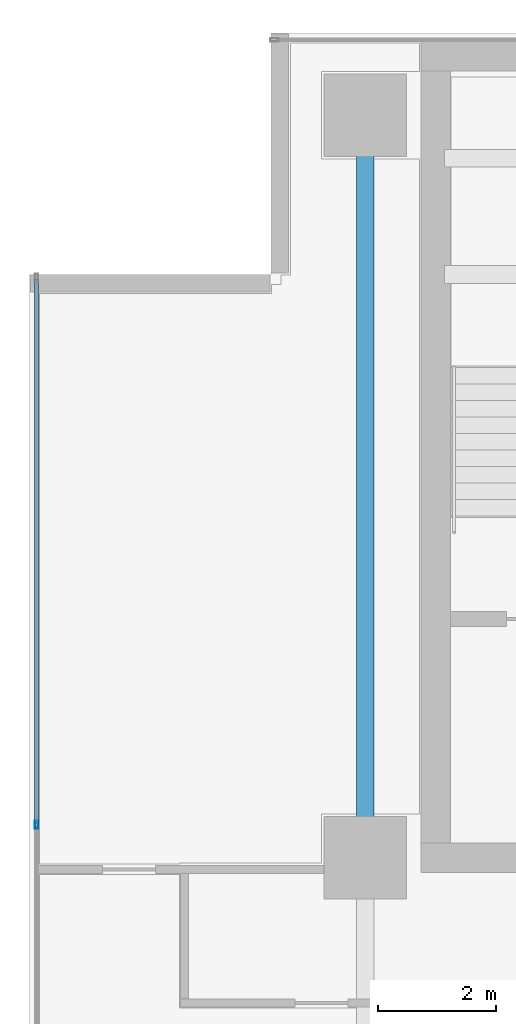
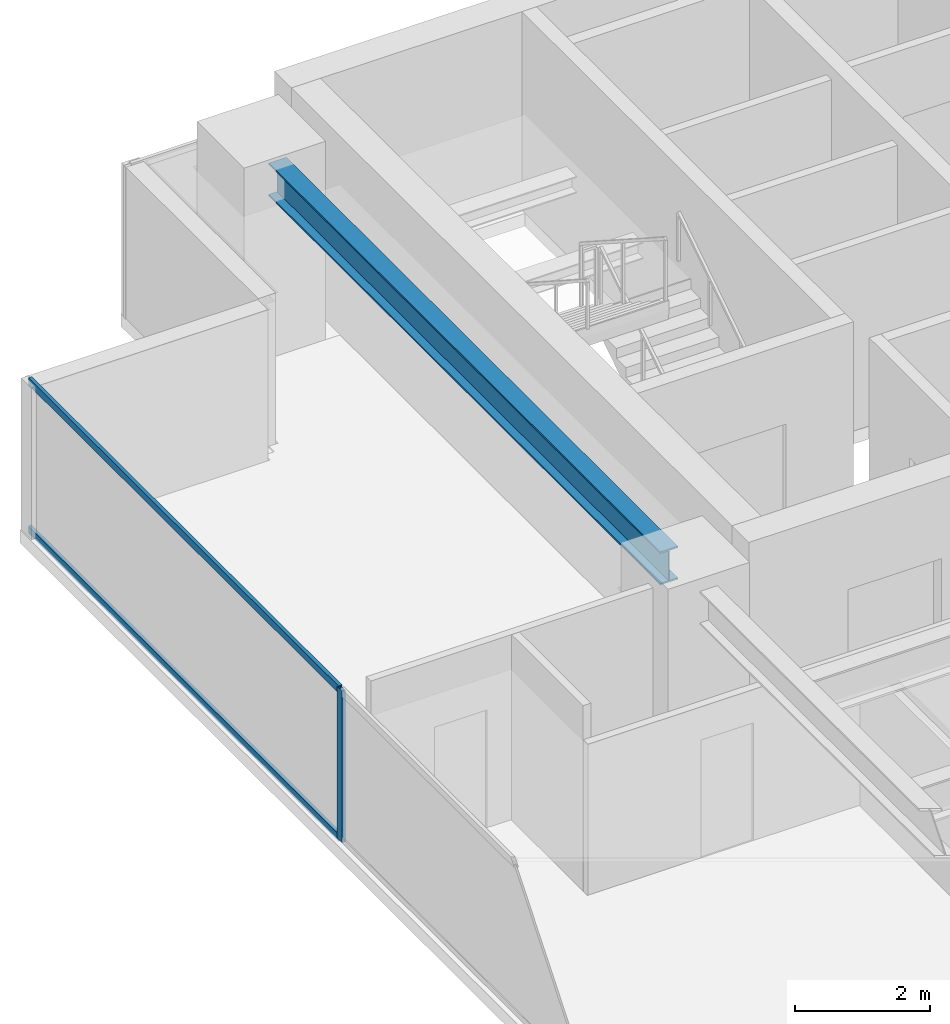
# One storey, part 9 of 25: 3 members, 1 beam, 1 element without a shape of its own.
"""IFC4 building model written with IfcOpenShell, lengths in metres."""

import ifcopenshell
import ifcopenshell.guid

model = None  # the IFC model being written
_history = None  # IfcOwnerHistory: only IFC2X3 demands one
_inside = {}  # id of a spatial element -> (the spatial element, [elements in it])
_under = {}  # id of a project, library or spatial element -> (it, [spatial elements below it])
_declared = {}  # id of a project -> (the project, [libraries it declares])
_typed = {}  # id of a type object -> (the type object, [elements of that type])
_made_of = {}  # id of a material, layer set ... -> (it, [elements and type objects made of it])


def new_model(schema):
    """Start an empty IFC model of exactly this schema.

    Asked for "IFC4X3", IfcOpenShell would pick the latest addendum, in which some entities
    have other attributes; the version numbers below select the first issue.
    IFC2X3 requires an IfcOwnerHistory on every rooted entity: one is made here for all.
    """
    global model, _history
    if schema == "IFC4X3":
        model = ifcopenshell.file(schema_version=(4, 3, 0, 0))
    else:
        model = ifcopenshell.file(schema=schema)
    _inside.clear()
    _under.clear()
    _declared.clear()
    _typed.clear()
    _made_of.clear()
    _history = None
    if model.schema == "IFC2X3":
        org = make("IfcOrganization", Name="unknown")
        user = make(
            "IfcPersonAndOrganization",
            ThePerson=make("IfcPerson", FamilyName="unknown"),
            TheOrganization=org,
        )
        app = make(
            "IfcApplication",
            ApplicationDeveloper=org,
            Version="unknown",
            ApplicationFullName="unknown",
            ApplicationIdentifier="unknown",
        )
        _history = make(
            "IfcOwnerHistory",
            OwningUser=user,
            OwningApplication=app,
            ChangeAction="ADDED",
            CreationDate=0,
        )
    return model


def make(cls, **values):
    """One entity of the class cls with the attributes given. An attribute that is None is left unset."""
    return model.create_entity(
        cls, **{name: value for name, value in values.items() if value is not None}
    )


def rooted(cls, **values):
    """An entity with a GlobalId (a new one), such as an element, a storey or a relation."""
    return make(cls, GlobalId=ifcopenshell.guid.new(), OwnerHistory=_history, **values)


def si_unit(unit_type, name, prefix=None):
    """IfcSIUnit, for example si_unit("LENGTHUNIT", "METRE", prefix="MILLI")."""
    return make("IfcSIUnit", UnitType=unit_type, Prefix=prefix, Name=name)


def assignment(units):
    """IfcUnitAssignment: the units of a project."""
    return None if units is None else make("IfcUnitAssignment", Units=units)


def point(xyz):
    """IfcCartesianPoint."""
    return None if xyz is None else make("IfcCartesianPoint", Coordinates=xyz)


def direction(xyz):
    """IfcDirection."""
    return None if xyz is None else make("IfcDirection", DirectionRatios=xyz)


def frame(location, z_axis=None, x_axis=None):
    """IfcAxis2Placement3D, a coordinate frame: its origin and axes. An axis left out is left unset."""
    return make(
        "IfcAxis2Placement3D",
        Location=point(location),
        Axis=direction(z_axis),
        RefDirection=direction(x_axis),
    )


def frame_2d(location, x_axis=None):
    """IfcAxis2Placement2D, a coordinate frame in the plane: its origin and x axis."""
    return make(
        "IfcAxis2Placement2D", Location=point(location), RefDirection=direction(x_axis)
    )


def origin():
    """The frame at (0, 0, 0) with its axes left unset."""
    return frame((0.0, 0.0, 0.0))


def origin_2d():
    """The frame at (0, 0) in the plane with its x axis left unset."""
    return frame_2d((0.0, 0.0))


def place(relative_to, where):
    """IfcLocalPlacement: puts the frame where relative to a parent placement (None: the world)."""
    return make(
        "IfcLocalPlacement", PlacementRelTo=relative_to, RelativePlacement=where
    )


def context(
    kind, dimensions, precision=None, world=None, true_north=None, identifier=None
):
    """IfcGeometricRepresentationContext, for example the 3D "Model" context."""
    return make(
        "IfcGeometricRepresentationContext",
        ContextIdentifier=identifier,
        ContextType=kind,
        CoordinateSpaceDimension=dimensions,
        Precision=precision,
        WorldCoordinateSystem=world,
        TrueNorth=true_north,
    )


def subcontext(parent, identifier, kind, view, scale=None):
    """IfcGeometricRepresentationSubContext, for example "Body" below "Model"."""
    return make(
        "IfcGeometricRepresentationSubContext",
        ContextIdentifier=identifier,
        ContextType=kind,
        ParentContext=parent,
        TargetScale=scale,
        TargetView=view,
    )


def project(units=None, contexts=None):
    """IfcProject with its units and contexts."""
    return rooted(
        "IfcProject",
        Name="project",
        RepresentationContexts=contexts,
        UnitsInContext=assignment(units),
    )


def spatial(cls, under=None, at=None, **own):
    """A site, building, storey or space (cls), placed at a placement, below another one or the project."""
    s = rooted(cls, ObjectPlacement=at, **own)
    if under is not None:
        _under.setdefault(under.id(), (under, []))[1].append(s)
    return s


def profile(cls, at=None, kind="AREA", **sizes):
    """A parametric profile (cls). Its sizes go by their IFC names, for example OverallWidth=200.0."""
    return make(cls, ProfileType=kind, Position=at, **sizes)


def hollow_rectangle(**sizes):
    """IfcRectangleHollowProfileDef."""
    return profile("IfcRectangleHollowProfileDef", **sizes)


def i_section(**sizes):
    """IfcIShapeProfileDef."""
    return profile("IfcIShapeProfileDef", **sizes)


def extrude(swept, where, along, depth):
    """IfcExtrudedAreaSolid: the profile swept, set in the frame where, extruded along a direction by depth."""
    return make(
        "IfcExtrudedAreaSolid",
        SweptArea=swept,
        Position=where,
        ExtrudedDirection=direction(along),
        Depth=depth,
    )


def shape(context_of_items, identifier, shape_type, items):
    """IfcShapeRepresentation: the items that make up one representation, for example the "Body"."""
    return make(
        "IfcShapeRepresentation",
        ContextOfItems=context_of_items,
        RepresentationIdentifier=identifier,
        RepresentationType=shape_type,
        Items=items,
    )


def source(mapping_origin, context_of_items, identifier, shape_type, items):
    """IfcRepresentationMap: a shape defined once, which mapped items show again and again."""
    return make(
        "IfcRepresentationMap",
        MappingOrigin=mapping_origin,
        MappedRepresentation=shape(context_of_items, identifier, shape_type, items),
    )


def transform(
    local_origin,
    x_axis=None,
    y_axis=None,
    z_axis=None,
    scale=None,
    scale2=None,
    scale3=None,
    uniform=True,
):
    """IfcCartesianTransformationOperator3D, or its non-uniform kind. x_axis, y_axis, z_axis: its Axis1, 2, 3."""
    if uniform:
        return make(
            "IfcCartesianTransformationOperator3D",
            Axis1=direction(x_axis),
            Axis2=direction(y_axis),
            LocalOrigin=point(local_origin),
            Scale=scale,
            Axis3=direction(z_axis),
        )
    return make(
        "IfcCartesianTransformationOperator3DnonUniform",
        Axis1=direction(x_axis),
        Axis2=direction(y_axis),
        LocalOrigin=point(local_origin),
        Scale=scale,
        Axis3=direction(z_axis),
        Scale2=scale2,
        Scale3=scale3,
    )


def mapped(mapping_source, mapping_target):
    """IfcMappedItem: shows the shape of a source again, moved by a transform."""
    return make(
        "IfcMappedItem", MappingSource=mapping_source, MappingTarget=mapping_target
    )


def material(Name=None, Category=None):
    """IfcMaterial."""
    return make("IfcMaterial", Name=Name, Category=Category)


def layer(
    of_material, thickness, ventilated=None, Name=None, Category=None, Priority=None
):
    """IfcMaterialLayer: one layer of a wall or slab, of a material (None: an air gap)."""
    return make(
        "IfcMaterialLayer",
        Material=of_material,
        LayerThickness=thickness,
        IsVentilated=ventilated,
        Name=Name,
        Category=Category,
        Priority=Priority,
    )


def layer_set(layers, Name=None):
    """IfcMaterialLayerSet."""
    return make("IfcMaterialLayerSet", MaterialLayers=layers, LayerSetName=Name)


def material_profile(
    of_material, cross_section, Name=None, Category=None, Priority=None
):
    """IfcMaterialProfile: a cross section and its material."""
    return make(
        "IfcMaterialProfile",
        Name=Name,
        Material=of_material,
        Profile=cross_section,
        Priority=Priority,
        Category=Category,
    )


def profile_set(profiles, Name=None, composite=None):
    """IfcMaterialProfileSet."""
    return make(
        "IfcMaterialProfileSet",
        Name=Name,
        MaterialProfiles=profiles,
        CompositeProfile=composite,
    )


def made_of(thing, what):
    """Note that an element or type object is made of a material, layer set ...; save() writes the relation."""
    if what is not None:
        _made_of.setdefault(what.id(), (what, []))[1].append(thing)
    return thing


def type_object(cls, material=None, **own):
    """A type object (cls), such as IfcWallType, which elements share."""
    return made_of(rooted(cls, **own), material)


def element(
    cls,
    number,
    at=None,
    inside=None,
    cuts=None,
    type_object=None,
    material=None,
    context=None,
    identifier="Body",
    shape_type=None,
    held_by="IfcProductDefinitionShape",
    body=None,
    shapes=None,
    **own,
):
    """One element of the class cls, such as IfcWall. Its Tag is "e" and its number.

    at: its placement. inside: the storey or other place that contains it. cuts: it is an
    opening in that element (IfcRelVoidsElement). A single representation is given by context,
    identifier, shape_type and body (its items); several are given by shapes. held_by: the class
    of the entity that holds the representations. save() writes the other relations.
    """
    e = rooted(cls, Tag="e%d" % number, ObjectPlacement=at, **own)
    if body is not None:
        shapes = [shape(context, identifier, shape_type, body)]
    if shapes is not None:
        e.Representation = make(held_by, Representations=shapes)
    if inside is not None:
        _inside.setdefault(inside.id(), (inside, []))[1].append(e)
    if cuts is not None:
        rooted(
            "IfcRelVoidsElement", RelatingBuildingElement=cuts, RelatedOpeningElement=e
        )
    if type_object is not None:
        _typed.setdefault(type_object.id(), (type_object, []))[1].append(e)
    return made_of(e, material)


def aggregate(whole, parts):
    """IfcRelAggregates: a whole, such as a stair, and the parts it consists of."""
    return rooted("IfcRelAggregates", RelatingObject=whole, RelatedObjects=parts)


def save(model, path):
    """Write the relations noted so far, then the file.

    IfcRelAggregates (storeys below a building ...), IfcRelContainedInSpatialStructure (elements
    in a storey), IfcRelDefinesByType, IfcRelAssociatesMaterial and IfcRelDeclares: one each for
    every whole, place, type object, material and project.
    """
    for whole, parts in _under.values():
        aggregate(whole, parts)
    for where, things in _inside.values():
        rooted(
            "IfcRelContainedInSpatialStructure",
            RelatedElements=things,
            RelatingStructure=where,
        )
    for kind, things in _typed.values():
        rooted("IfcRelDefinesByType", RelatedObjects=things, RelatingType=kind)
    for what, things in _made_of.values():
        rooted("IfcRelAssociatesMaterial", RelatedObjects=things, RelatingMaterial=what)
    for by, libraries in _declared.values():
        rooted("IfcRelDeclares", RelatingContext=by, RelatedDefinitions=libraries)
    model.write(path)


model = new_model("IFC4")

# Units and contexts
model_context = context("Model", 3, precision=1e-05, world=origin(), true_north=direction((0.0, 1.0)))
body_context = subcontext(model_context, "Body", "Model", "MODEL_VIEW")
ifc_project = project(units=[si_unit("LENGTHUNIT", "METRE"), si_unit("AREAUNIT", "SQUARE_METRE"), si_unit("VOLUMEUNIT", "CUBIC_METRE"), si_unit("PLANEANGLEUNIT", "RADIAN"), si_unit("MASSUNIT", "GRAM", prefix="KILO")], contexts=[model_context])

# Site, building, storey
site_placement = place(None, origin())
site = spatial("IfcSite", under=ifc_project, at=site_placement, CompositionType="ELEMENT")
building_placement = place(site_placement, origin())
building = spatial("IfcBuilding", under=site, at=building_placement, Name="Sumidabori Civic Tower", CompositionType="ELEMENT")
storey_placement = place(building_placement, frame((0.0, 0.0, 232.39990234375)))
storey = spatial("IfcBuildingStorey", under=building, at=storey_placement, Name="L60", CompositionType="ELEMENT", Elevation=232.39990234375)

# Beam
ifc_material_1 = material(Name="Steel SN490", Category="steel")
ifc_material_profile_1 = material_profile(ifc_material_1, i_section(OverallWidth=0.300048828125, OverallDepth=0.60009765625, WebThickness=0.015380859375, FlangeThickness=0.030029296875, at=origin_2d()), Name="HE 600 B")
ifc_profile_set_1 = profile_set([ifc_material_profile_1], Name="Steel SN490")
beam_type = type_object("IfcBeamType", Name="BM-GIRD-600", PredefinedType="BEAM", material=ifc_profile_set_1)
shared_shape_1 = source(origin(), body_context, "Body", "SweptSolid", [
    extrude(i_section(OverallWidth=0.300048828125, OverallDepth=0.60009765625, WebThickness=0.015380859375, FlangeThickness=0.030029296875, at=origin_2d()), origin(), (0.0, 0.0, 1.0), 11.64013671875),
])
beam_placement = place(storey_placement, frame((-16.800048828125, 10.679931640625, 3.070068359375), z_axis=(0.0, 1.0, 0.0), x_axis=(-1.0, 0.0, 0.0)))
element("IfcBeam", 1, at=beam_placement, inside=storey, type_object=beam_type, Name="Primary Girder L60 GY-11", PredefinedType="BEAM", context=body_context, shape_type="MappedRepresentation", body=[
    mapped(shared_shape_1, transform((0.0, 0.0, 0.0), x_axis=(1.0, 0.0, 0.0), y_axis=(0.0, 1.0, 0.0), z_axis=(0.0, 0.0, 1.0), scale=1.0)),
])

# Curtain wall, members
ifc_material_2 = material(Name="Anodised Bronze Aluminium AW-6063-T6", Category="aluminium")
ifc_layer = layer(ifc_material_2, 0.179931640625, Name="Anodised Bronze Aluminium AW-6063-T6")
ifc_layer_set = layer_set([ifc_layer], Name="Anodised Bronze Aluminium AW-6063-T6")
curtain_wall_type = type_object("IfcCurtainWallType", Name="CW-SYS-5", PredefinedType="NOTDEFINED", material=ifc_layer_set)
curtain_wall_placement = place(storey_placement, origin())
curtain_wall = element("IfcCurtainWall", 2, at=curtain_wall_placement, inside=storey, type_object=curtain_wall_type, Name="Curtain Wall CW:L60:R10", PredefinedType="NOTDEFINED")
ifc_material_profile_2 = material_profile(ifc_material_2, hollow_rectangle(XDim=0.06005859375, YDim=0.139892578125, WallThickness=0.0048828125, at=origin_2d()), Name="ALU MULLION 140x60")
ifc_profile_set_2 = profile_set([ifc_material_profile_2], Name="Anodised Bronze Aluminium AW-6063-T6")
member_type_1 = type_object("IfcMemberType", Name="CW-MUL-140", PredefinedType="MULLION", material=ifc_profile_set_2)
shared_shape_2 = source(origin(), body_context, "Body", "SweptSolid", [
    extrude(hollow_rectangle(XDim=0.06005859375, YDim=0.139892578125, WallThickness=0.0048828125, at=origin_2d()), origin(), (0.0, 0.0, 1.0), 2.75),
])
member_1_placement = place(storey_placement, frame((-22.3798828125, 10.756591796875, 0.0), z_axis=(0.0, 0.0, 1.0), x_axis=(1.0, 0.0, 0.0)))
member_1 = element("IfcMember", 3, at=member_1_placement, type_object=member_type_1, Name="CW-5 mullion 2", PredefinedType="MULLION", context=body_context, shape_type="MappedRepresentation", body=[
    mapped(shared_shape_2, transform((0.0, 0.0, 0.0), x_axis=(1.0, 0.0, 0.0), y_axis=(0.0, 1.0, 0.0), z_axis=(0.0, 0.0, 1.0), scale=1.0)),
])
ifc_material_profile_3 = material_profile(ifc_material_2, hollow_rectangle(XDim=0.06005859375, YDim=0.1298828125, WallThickness=0.0048828125, at=origin_2d()), Name="ALU TRANSOM 130x60")
ifc_profile_set_3 = profile_set([ifc_material_profile_3], Name="Anodised Bronze Aluminium AW-6063-T6")
member_type_2 = type_object("IfcMemberType", Name="CW-TRN-130", PredefinedType="USERDEFINED", material=ifc_profile_set_3)
shared_shape_3 = source(origin(), body_context, "Body", "SweptSolid", [
    extrude(hollow_rectangle(XDim=0.06005859375, YDim=0.1298828125, WallThickness=0.0048828125, at=origin_2d()), origin(), (0.0, 0.0, 1.0), 9.223388671875),
])
member_2_placement = place(storey_placement, frame((-22.3798828125, 20.010009765625, 0.030029296875), z_axis=(0.0, -1.0, 0.0), x_axis=(1.0, 0.0, 0.0)))
member_2 = element("IfcMember", 4, at=member_2_placement, type_object=member_type_2, Name="CW-5 transom 1.1", ObjectType="TRANSOM", PredefinedType="USERDEFINED", context=body_context, shape_type="MappedRepresentation", body=[
    mapped(shared_shape_3, transform((0.0, 0.0, 0.0), x_axis=(1.0, 0.0, 0.0), y_axis=(0.0, 1.0, 0.0), z_axis=(0.0, 0.0, 1.0), scale=1.0)),
])
member_3_placement = place(storey_placement, frame((-22.3798828125, 20.010009765625, 2.72021484375), z_axis=(0.0, -1.0, 0.0), x_axis=(1.0, 0.0, 0.0)))
member_3 = element("IfcMember", 5, at=member_3_placement, type_object=member_type_2, Name="CW-5 transom 1.2", ObjectType="TRANSOM", PredefinedType="USERDEFINED", context=body_context, shape_type="MappedRepresentation", body=[
    mapped(shared_shape_3, transform((0.0, 0.0, 0.0), x_axis=(1.0, 0.0, 0.0), y_axis=(0.0, 1.0, 0.0), z_axis=(0.0, 0.0, 1.0), scale=1.0)),
])
aggregate(curtain_wall, [member_1, member_2, member_3])

save(model, "model.ifc")
